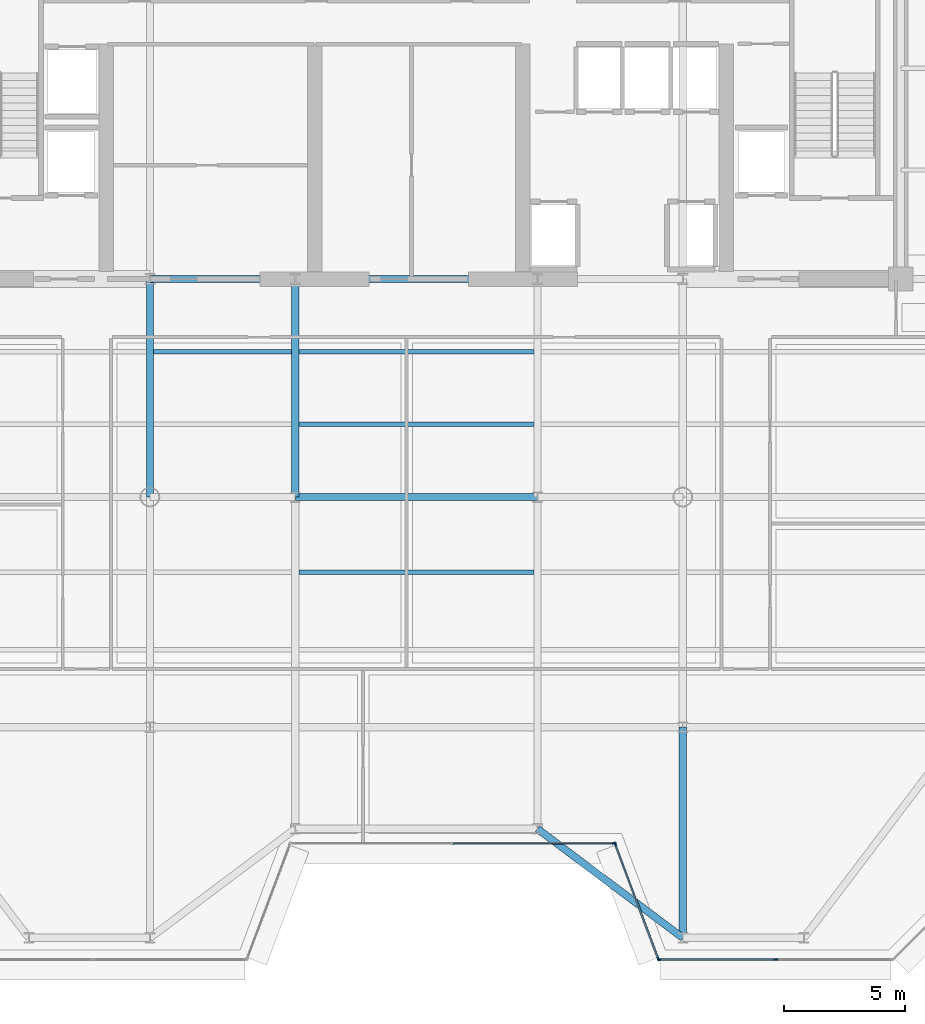
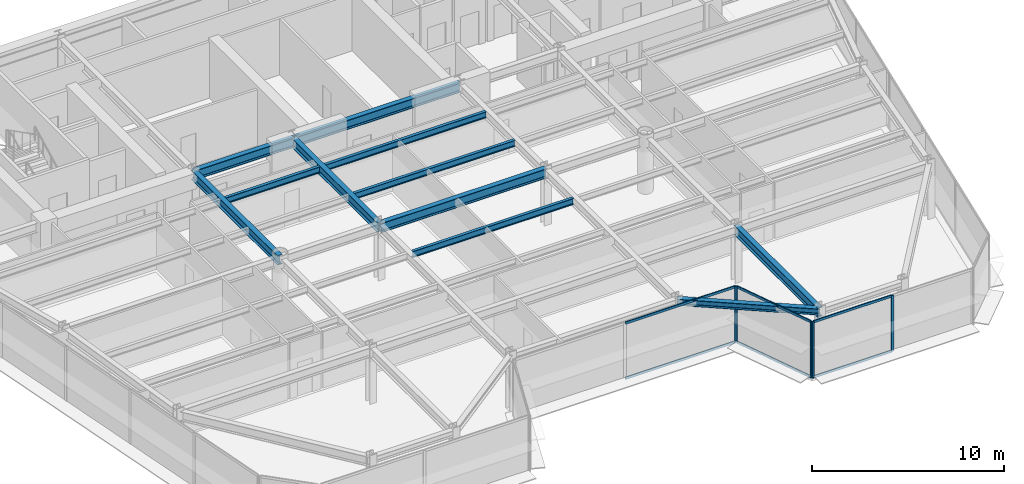
# One storey, part 5 of 16: 11 beams, 11 members, 3 elements without a shape of their own.
"""IFC4 building model written with IfcOpenShell, lengths in metres."""

from ifc_helpers import new_model, si_unit, direction, frame, origin, origin_2d, place, context, subcontext, project, spatial, rectangle, i_section, extrude, source, transform, mapped, material, layer, layer_set, material_profile, profile_set, type_object, element, aggregate, save


model = new_model("IFC4")

# Units and contexts
model_context = context("Model", 3, precision=1e-05, world=origin(), true_north=direction((0.0, 1.0)))
body_context = subcontext(model_context, "Body", "Model", "MODEL_VIEW")
ifc_project = project(units=[si_unit("LENGTHUNIT", "METRE"), si_unit("AREAUNIT", "SQUARE_METRE"), si_unit("VOLUMEUNIT", "CUBIC_METRE"), si_unit("PLANEANGLEUNIT", "RADIAN"), si_unit("MASSUNIT", "GRAM", prefix="KILO")], contexts=[model_context])

# Site, building, storey
site_placement = place(None, origin())
site = spatial("IfcSite", under=ifc_project, at=site_placement, CompositionType="ELEMENT")
building_placement = place(site_placement, origin())
building = spatial("IfcBuilding", under=site, at=building_placement, Name="Vaeldorn Concourse Tower", CompositionType="ELEMENT")
storey_placement = place(building_placement, frame((0.0, 0.0, 210.800048828125)))
storey = spatial("IfcBuildingStorey", under=building, at=storey_placement, Name="L54", CompositionType="ELEMENT", Elevation=210.800048828125)

# Beams
ifc_material_1 = material(Name="Steel S355", Category="steel")
ifc_material_profile_1 = material_profile(ifc_material_1, i_section(OverallWidth=0.300048828125, OverallDepth=0.60009765625, WebThickness=0.015380859375, FlangeThickness=0.030029296875, FilletRadius=0.027099609375, at=origin_2d()), Name="HEB 600")
ifc_profile_set_1 = profile_set([ifc_material_profile_1], Name="Steel S355")
beam_type_1 = type_object("IfcBeamType", Name="BM-PG-HEB600", PredefinedType="BEAM", material=ifc_profile_set_1)
shared_shape_1 = source(origin(), body_context, "Body", "SweptSolid", [
    extrude(i_section(OverallWidth=0.300048828125, OverallDepth=0.60009765625, WebThickness=0.015380859375, FlangeThickness=0.030029296875, FilletRadius=0.027099609375, at=origin_2d()), origin(), (0.0, 0.0, 1.0), 6.0),
])
beam_1_placement = place(storey_placement, frame((23.0, 36.5, 3.280029296875), z_axis=(1.0, 0.0, 0.0), x_axis=(0.0, 1.0, 0.0)))
element("IfcBeam", 1, at=beam_1_placement, inside=storey, type_object=beam_type_1, Name="Beam BM-L54-C-FC2-C-FC3", PredefinedType="BEAM", context=body_context, shape_type="MappedRepresentation", body=[
    mapped(shared_shape_1, transform((0.0, 0.0, 0.0), scale=1.0)),
])
shared_shape_2 = source(origin(), body_context, "Body", "SweptSolid", [
    extrude(i_section(OverallWidth=0.300048828125, OverallDepth=0.60009765625, WebThickness=0.015380859375, FlangeThickness=0.030029296875, FilletRadius=0.027099609375, at=origin_2d()), origin(), (0.0, 0.0, 1.0), 10.0),
])
for number, where, z_axis, x_axis, name in (
    (2, (29.0, 36.5, 3.280029296875), (1.0, 0.0, 0.0), (0.0, 1.0, 0.0), "Beam BM-L54-C-FC3-C-FC4"),
    (3, (29.0, 27.5, 3.280029296875), (1.0, 0.0, 0.0), (0.0, 1.0, 0.0), "Beam BM-L54-C-TW2-C-TW3"),
):
    element("IfcBeam", number, at=place(storey_placement, frame(where, z_axis=z_axis, x_axis=x_axis)), inside=storey, type_object=beam_type_1, Name=name, PredefinedType="BEAM", context=body_context, shape_type="MappedRepresentation", body=[
        mapped(shared_shape_2, transform((0.0, 0.0, 0.0), scale=1.0)),
    ])
shared_shape_3 = source(origin(), body_context, "Body", "SweptSolid", [
    extrude(i_section(OverallWidth=0.300048828125, OverallDepth=0.60009765625, WebThickness=0.015380859375, FlangeThickness=0.030029296875, FilletRadius=0.027099609375, at=origin_2d()), origin(), (0.0, 0.0, 1.0), 9.0),
])
for number, where, z_axis, x_axis, name in (
    (4, (23.0, 27.5, 3.280029296875), (0.0, 1.0, 0.0), (-1.0, 0.0, 0.0), "Beam BM-L54-C-TW1-C-FC2"),
    (5, (29.0, 27.5, 3.280029296875), (0.0, 1.0, 0.0), (-1.0, 0.0, 0.0), "Beam BM-L54-C-TW2-C-FC3"),
):
    element("IfcBeam", number, at=place(storey_placement, frame(where, z_axis=z_axis, x_axis=x_axis)), inside=storey, type_object=beam_type_1, Name=name, PredefinedType="BEAM", context=body_context, shape_type="MappedRepresentation", body=[
        mapped(shared_shape_3, transform((0.0, 0.0, 0.0), scale=1.0)),
    ])
ifc_material_profile_2 = material_profile(ifc_material_1, i_section(OverallWidth=0.300048828125, OverallDepth=0.39990234375, WebThickness=0.013427734375, FlangeThickness=0.02392578125, FilletRadius=0.027099609375, at=origin_2d()), Name="HEB 400")
ifc_profile_set_2 = profile_set([ifc_material_profile_2], Name="Steel S355")
beam_type_2 = type_object("IfcBeamType", Name="BM-SP-HEB400", PredefinedType="SPANDREL", material=ifc_profile_set_2)
shared_shape_4 = source(origin(), body_context, "Body", "SweptSolid", [
    extrude(i_section(OverallWidth=0.300048828125, OverallDepth=0.39990234375, WebThickness=0.013427734375, FlangeThickness=0.02392578125, FilletRadius=0.027099609375, at=origin_2d()), origin(), (0.0, 0.0, 1.0), 7.5),
])
beam_2_placement = place(storey_placement, frame((39.0, 13.800048828125, 3.3798828125), z_axis=(0.8, -0.6, 0.0), x_axis=(0.6, 0.8, 0.0)))
element("IfcBeam", 6, at=beam_2_placement, inside=storey, type_object=beam_type_2, Name="Beam BM-L54-C-SF4-C-SF5", PredefinedType="SPANDREL", context=body_context, shape_type="MappedRepresentation", body=[
    mapped(shared_shape_4, transform((0.0, 0.0, 0.0), scale=1.0)),
])
ifc_material_profile_3 = material_profile(ifc_material_1, i_section(OverallWidth=0.179931640625, OverallDepth=0.39990234375, WebThickness=0.008544921875, FlangeThickness=0.013427734375, FilletRadius=0.02099609375, at=origin_2d()), Name="IPE 400")
ifc_profile_set_3 = profile_set([ifc_material_profile_3], Name="Steel S355")
beam_type_3 = type_object("IfcBeamType", Name="BM-JS-IPE400", PredefinedType="JOIST", material=ifc_profile_set_3)
shared_shape_5 = source(origin(), body_context, "Body", "SweptSolid", [
    extrude(i_section(OverallWidth=0.179931640625, OverallDepth=0.39990234375, WebThickness=0.008544921875, FlangeThickness=0.013427734375, FilletRadius=0.02099609375, at=origin_2d()), origin(), (0.0, 0.0, 1.0), 5.7001953125),
])
beam_3_placement = place(storey_placement, frame((23.14990234375, 33.5, 3.3798828125), z_axis=(1.0, 0.0, 0.0), x_axis=(0.0, 1.0, 0.0)))
element("IfcBeam", 7, at=beam_3_placement, inside=storey, type_object=beam_type_3, Name="Beam JS-L54-W2-335", PredefinedType="JOIST", context=body_context, shape_type="MappedRepresentation", body=[
    mapped(shared_shape_5, transform((0.0, 0.0, 0.0), scale=1.0)),
])
shared_shape_6 = source(origin(), body_context, "Body", "SweptSolid", [
    extrude(i_section(OverallWidth=0.179931640625, OverallDepth=0.39990234375, WebThickness=0.008544921875, FlangeThickness=0.013427734375, FilletRadius=0.02099609375, at=origin_2d()), origin(), (0.0, 0.0, 1.0), 9.7001953125),
])
for number, where, z_axis, x_axis, name in (
    (8, (29.14990234375, 24.39990234375, 3.3798828125), (1.0, 0.0, 0.0), (0.0, 1.0, 0.0), "Beam JS-L54-C-244"),
    (9, (29.14990234375, 30.5, 3.3798828125), (1.0, 0.0, 0.0), (0.0, 1.0, 0.0), "Beam JS-L54-C-305"),
    (10, (29.14990234375, 33.5, 3.3798828125), (1.0, 0.0, 0.0), (0.0, 1.0, 0.0), "Beam JS-L54-C-335"),
):
    element("IfcBeam", number, at=place(storey_placement, frame(where, z_axis=z_axis, x_axis=x_axis)), inside=storey, type_object=beam_type_3, Name=name, PredefinedType="JOIST", context=body_context, shape_type="MappedRepresentation", body=[
        mapped(shared_shape_6, transform((0.0, 0.0, 0.0), scale=1.0)),
    ])
shared_shape_7 = source(origin(), body_context, "Body", "SweptSolid", [
    extrude(i_section(OverallWidth=0.300048828125, OverallDepth=0.60009765625, WebThickness=0.015380859375, FlangeThickness=0.030029296875, FilletRadius=0.027099609375, at=origin_2d()), origin(), (0.0, 0.0, 1.0), 8.699951171875),
])
beam_4_placement = place(storey_placement, frame((45.0, 9.300048828125, 3.280029296875), z_axis=(0.0, 1.0, 0.0), x_axis=(-1.0, 0.0, 0.0)))
element("IfcBeam", 11, at=beam_4_placement, inside=storey, type_object=beam_type_1, Name="Beam BM-L54-C-SF5-C-TW6", PredefinedType="BEAM", context=body_context, shape_type="MappedRepresentation", body=[
    mapped(shared_shape_7, transform((0.0, 0.0, 0.0), scale=1.0)),
])

# Curtain wall, member
ifc_material_2 = material(Name="Anodised Bronze Aluminium", Category="aluminium")
ifc_layer = layer(ifc_material_2, 0.18994140625)
ifc_layer_set = layer_set([ifc_layer], Name="Anodised Bronze Aluminium")
curtain_wall_type = type_object("IfcCurtainWallType", Name="CW-SYS-03", PredefinedType="NOTDEFINED", material=ifc_layer_set)
curtain_wall_1_placement = place(storey_placement, origin())
curtain_wall_1 = element("IfcCurtainWall", 12, at=curtain_wall_1_placement, inside=storey, type_object=curtain_wall_type, Name="Unitised Curtain Wall CW-L54-E03-1", PredefinedType="NOTDEFINED")
ifc_material_profile_4 = material_profile(ifc_material_2, rectangle(XDim=0.06494140625, YDim=0.169921875, at=origin_2d()), Name="CWM 65x170")
ifc_profile_set_4 = profile_set([ifc_material_profile_4], Name="Anodised Bronze Aluminium")
member_type_1 = type_object("IfcMemberType", Name="CWM-BRONZE-170", PredefinedType="MULLION", material=ifc_profile_set_4)
shared_shape_8 = source(origin(), body_context, "Body", "SweptSolid", [
    extrude(rectangle(XDim=0.06494140625, YDim=0.169921875, at=origin_2d()), origin(), (0.0, 0.0, 1.0), 3.579833984375),
])
member_1_placement = place(storey_placement, frame((42.16748046875, 13.199951171875, 0.0), z_axis=(0.0, 0.0, 1.0), x_axis=(0.0, 1.0, 0.0)))
member_1 = element("IfcMember", 13, at=member_1_placement, type_object=member_type_1, Name="CW-03 mullion 3", PredefinedType="MULLION", context=body_context, shape_type="MappedRepresentation", body=[
    mapped(shared_shape_8, transform((0.0, 0.0, 0.0), scale=1.0)),
])

# Curtain wall, members
curtain_wall_2_placement = place(storey_placement, origin())
curtain_wall_2 = element("IfcCurtainWall", 14, at=curtain_wall_2_placement, inside=storey, type_object=curtain_wall_type, Name="Unitised Curtain Wall CW-L54-E04-1", PredefinedType="NOTDEFINED")
member_2_placement = place(storey_placement, frame((42.21142578125, 13.169677734375, 0.0), z_axis=(0.0, 0.0, 1.0), x_axis=(0.936329177566, 0.351123441595, 0.0)))
member_2 = element("IfcMember", 15, at=member_2_placement, type_object=member_type_1, Name="CW-03 mullion 1", PredefinedType="MULLION", context=body_context, shape_type="MappedRepresentation", body=[
    mapped(shared_shape_8, transform((0.0, 0.0, 0.0), scale=1.0)),
])
member_3_placement = place(storey_placement, frame((43.988525390625, 8.430419921875, 0.0), z_axis=(0.0, 0.0, 1.0), x_axis=(0.936329177566, 0.351123441595, 0.0)))
member_3 = element("IfcMember", 16, at=member_3_placement, type_object=member_type_1, Name="CW-03 mullion 2", PredefinedType="MULLION", context=body_context, shape_type="MappedRepresentation", body=[
    mapped(shared_shape_8, transform((0.0, 0.0, 0.0), scale=1.0)),
])

curtain_wall_3_placement = place(storey_placement, origin())
curtain_wall_3 = element("IfcCurtainWall", 17, at=curtain_wall_3_placement, inside=storey, type_object=curtain_wall_type, Name="Unitised Curtain Wall CW-L54-E05-1", PredefinedType="NOTDEFINED")
member_4_placement = place(storey_placement, frame((44.032470703125, 8.39990234375, 0.0), z_axis=(0.0, 0.0, 1.0), x_axis=(0.0, 1.0, 0.0)))
member_4 = element("IfcMember", 18, at=member_4_placement, type_object=member_type_1, Name="CW-03 mullion 1", PredefinedType="MULLION", context=body_context, shape_type="MappedRepresentation", body=[
    mapped(shared_shape_8, transform((0.0, 0.0, 0.0), scale=1.0)),
])
member_5_placement = place(storey_placement, frame((48.83544921875, 8.39990234375, 0.0), z_axis=(0.0, 0.0, 1.0), x_axis=(0.0, 1.0, 0.0)))
member_5 = element("IfcMember", 19, at=member_5_placement, type_object=member_type_1, Name="CW-03 mullion 2", PredefinedType="MULLION", context=body_context, shape_type="MappedRepresentation", body=[
    mapped(shared_shape_8, transform((0.0, 0.0, 0.0), scale=1.0)),
])

# Member
ifc_material_profile_5 = material_profile(ifc_material_2, rectangle(XDim=0.06494140625, YDim=0.14990234375, at=origin_2d()), Name="CWT 65x150")
ifc_profile_set_5 = profile_set([ifc_material_profile_5], Name="Anodised Bronze Aluminium")
member_type_2 = type_object("IfcMemberType", Name="CWT-BRONZE-150", PredefinedType="USERDEFINED", material=ifc_profile_set_5)
shared_shape_9 = source(origin(), body_context, "Body", "SweptSolid", [
    extrude(rectangle(XDim=0.06494140625, YDim=0.14990234375, at=origin_2d()), origin(), (0.0, 0.0, 1.0), 4.996337890625),
])
member_6_placement = place(storey_placement, frame((42.222900390625, 13.13916015625, 0.032470703125), z_axis=(0.351134151405, -0.936325161318, 0.0), x_axis=(0.936325161318, 0.351134151405, 0.0)))
member_6 = element("IfcMember", 20, at=member_6_placement, type_object=member_type_2, Name="CW-03 transom 1.1", ObjectType="TRANSOM", PredefinedType="USERDEFINED", context=body_context, shape_type="MappedRepresentation", body=[
    mapped(shared_shape_9, transform((0.0, 0.0, 0.0), scale=1.0)),
])

member_7_placement = place(storey_placement, frame((42.222900390625, 13.13916015625, 3.54736328125), z_axis=(0.351134151405, -0.936325161318, 0.0), x_axis=(0.936325161318, 0.351134151405, 0.0)))
member_7 = element("IfcMember", 21, at=member_7_placement, type_object=member_type_2, Name="CW-03 transom 1.2", ObjectType="TRANSOM", PredefinedType="USERDEFINED", context=body_context, shape_type="MappedRepresentation", body=[
    mapped(shared_shape_9, transform((0.0, 0.0, 0.0), scale=1.0)),
])

aggregate(curtain_wall_2, [member_2, member_3, member_6, member_7])

shared_shape_10 = source(origin(), body_context, "Body", "SweptSolid", [
    extrude(rectangle(XDim=0.06494140625, YDim=0.14990234375, at=origin_2d()), origin(), (0.0, 0.0, 1.0), 6.6025390625),
])
member_8_placement = place(storey_placement, frame((35.532470703125, 13.199951171875, 0.032470703125), z_axis=(1.0, 0.0, 0.0), x_axis=(0.0, 1.0, 0.0)))
member_8 = element("IfcMember", 22, at=member_8_placement, type_object=member_type_2, Name="CW-03 transom 2.1", ObjectType="TRANSOM", PredefinedType="USERDEFINED", context=body_context, shape_type="MappedRepresentation", body=[
    mapped(shared_shape_10, transform((0.0, 0.0, 0.0), scale=1.0)),
])

member_9_placement = place(storey_placement, frame((35.532470703125, 13.199951171875, 3.54736328125), z_axis=(1.0, 0.0, 0.0), x_axis=(0.0, 1.0, 0.0)))
member_9 = element("IfcMember", 23, at=member_9_placement, type_object=member_type_2, Name="CW-03 transom 2.2", ObjectType="TRANSOM", PredefinedType="USERDEFINED", context=body_context, shape_type="MappedRepresentation", body=[
    mapped(shared_shape_10, transform((0.0, 0.0, 0.0), scale=1.0)),
])

aggregate(curtain_wall_1, [member_1, member_8, member_9])

shared_shape_11 = source(origin(), body_context, "Body", "SweptSolid", [
    extrude(rectangle(XDim=0.06494140625, YDim=0.14990234375, at=origin_2d()), origin(), (0.0, 0.0, 1.0), 4.738037109375),
])
member_10_placement = place(storey_placement, frame((44.06494140625, 8.39990234375, 0.032470703125), z_axis=(1.0, 0.0, 0.0), x_axis=(0.0, 1.0, 0.0)))
member_10 = element("IfcMember", 24, at=member_10_placement, type_object=member_type_2, Name="CW-03 transom 1.1", ObjectType="TRANSOM", PredefinedType="USERDEFINED", context=body_context, shape_type="MappedRepresentation", body=[
    mapped(shared_shape_11, transform((0.0, 0.0, 0.0), scale=1.0)),
])

member_11_placement = place(storey_placement, frame((44.06494140625, 8.39990234375, 3.54736328125), z_axis=(1.0, 0.0, 0.0), x_axis=(0.0, 1.0, 0.0)))
member_11 = element("IfcMember", 25, at=member_11_placement, type_object=member_type_2, Name="CW-03 transom 1.2", ObjectType="TRANSOM", PredefinedType="USERDEFINED", context=body_context, shape_type="MappedRepresentation", body=[
    mapped(shared_shape_11, transform((0.0, 0.0, 0.0), scale=1.0)),
])

aggregate(curtain_wall_3, [member_4, member_5, member_10, member_11])

save(model, "model.ifc")
